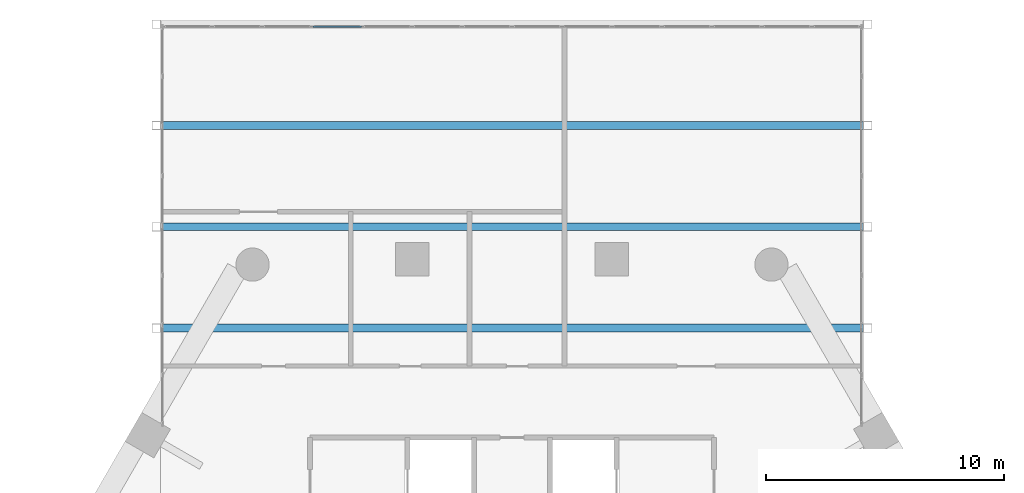
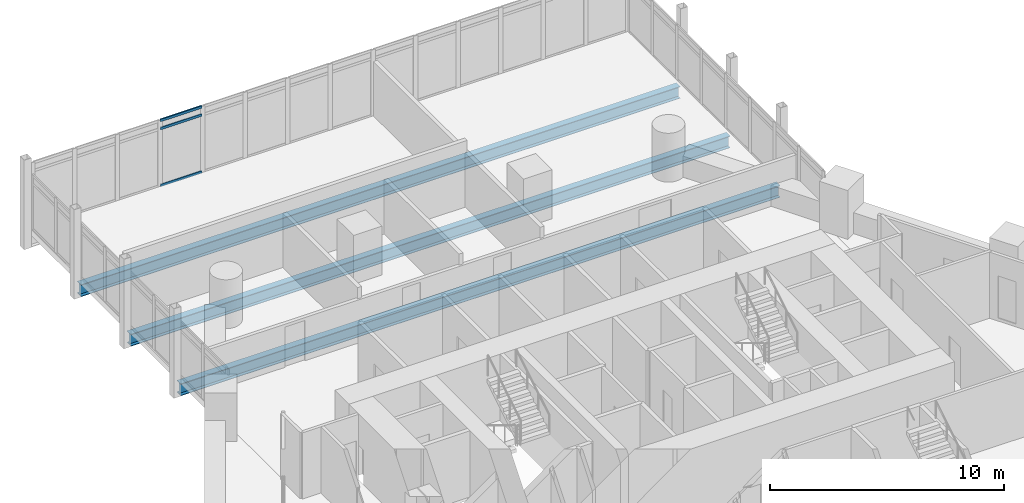
# One storey, part 14 of 28: 3 beams, 3 members, 1 element without a shape of its own.
"""IFC4 building model written with IfcOpenShell, lengths in metres."""

from ifc_helpers import new_model, si_unit, direction, frame, origin, origin_2d, place, context, subcontext, project, spatial, hollow_rectangle, i_section, extrude, material, material_profile, profile_set, type_object, element, aggregate, save


model = new_model("IFC4")

# Units and contexts
model_context = context("Model", 3, precision=1e-05, world=origin(), true_north=direction((0.0, 1.0)))
body_context = subcontext(model_context, "Body", "Model", "MODEL_VIEW")
ifc_project = project(units=[si_unit("LENGTHUNIT", "METRE"), si_unit("AREAUNIT", "SQUARE_METRE"), si_unit("VOLUMEUNIT", "CUBIC_METRE"), si_unit("PLANEANGLEUNIT", "RADIAN"), si_unit("MASSUNIT", "GRAM", prefix="KILO")], contexts=[model_context])

# Site, building, storey
site_placement = place(None, origin())
site = spatial("IfcSite", under=ifc_project, at=site_placement, CompositionType="ELEMENT")
building_placement = place(site_placement, origin())
building = spatial("IfcBuilding", under=site, at=building_placement, Name="Ostrander Bayou Hotel Tower", CompositionType="ELEMENT")
storey_placement = place(building_placement, frame((0.0, 0.0, 76.75)))
storey = spatial("IfcBuildingStorey", under=building, at=storey_placement, Name="L19", CompositionType="ELEMENT", Elevation=76.75)

# Curtain wall, members
ifc_material_1 = material(Name="Aluminium and clear glass", Category="aluminium")
curtain_wall_type = type_object("IfcCurtainWallType", Name="CW-BAR glazed wall", PredefinedType="NOTDEFINED", material=ifc_material_1)
curtain_wall_placement = place(storey_placement, origin())
curtain_wall = element("IfcCurtainWall", 1, at=curtain_wall_placement, inside=storey, type_object=curtain_wall_type, Name="CW-BAR L19:SB1N:T", PredefinedType="NOTDEFINED")
ifc_material_2 = material(Name="Aluminium", Category="aluminium")
ifc_material_profile_1 = material_profile(ifc_material_2, hollow_rectangle(XDim=0.06005859375, YDim=0.1298828125, WallThickness=0.00390625, at=origin_2d()))
ifc_profile_set_1 = profile_set([ifc_material_profile_1], Name="Aluminium")
member_type = type_object("IfcMemberType", Name="CW-BR transom 60 x 130 mm", PredefinedType="USERDEFINED", material=ifc_profile_set_1)
member_1_placement = place(storey_placement, frame((-8.376953125, 30.88623046875, 0.030029296875), z_axis=(1.0, 0.0, 0.0), x_axis=(0.0, 1.0, 0.0)))
member_1 = element("IfcMember", 2, at=member_1_placement, type_object=member_type, Name="CW-BAR transom 4.1", ObjectType="TRANSOM", PredefinedType="USERDEFINED", context=body_context, shape_type="SweptSolid", body=[
    extrude(hollow_rectangle(XDim=0.06005859375, YDim=0.1298828125, WallThickness=0.00390625, at=origin_2d()), origin(), (0.0, 0.0, 1.0), 2.041748046875),
])
member_2_placement = place(storey_placement, frame((-8.376953125, 30.88623046875, 3.0), z_axis=(1.0, 0.0, 0.0), x_axis=(0.0, 1.0, 0.0)))
member_2 = element("IfcMember", 3, at=member_2_placement, type_object=member_type, Name="CW-BAR transom 4.2", ObjectType="TRANSOM", PredefinedType="USERDEFINED", context=body_context, shape_type="SweptSolid", body=[
    extrude(hollow_rectangle(XDim=0.06005859375, YDim=0.1298828125, WallThickness=0.00390625, at=origin_2d()), origin(), (0.0, 0.0, 1.0), 2.041748046875),
])
member_3_placement = place(storey_placement, frame((-8.376953125, 30.88623046875, 3.419921875), z_axis=(1.0, 0.0, 0.0), x_axis=(0.0, 1.0, 0.0)))
member_3 = element("IfcMember", 4, at=member_3_placement, type_object=member_type, Name="CW-BAR transom 4.3", ObjectType="TRANSOM", PredefinedType="USERDEFINED", context=body_context, shape_type="SweptSolid", body=[
    extrude(hollow_rectangle(XDim=0.06005859375, YDim=0.1298828125, WallThickness=0.00390625, at=origin_2d()), origin(), (0.0, 0.0, 1.0), 2.041748046875),
])
aggregate(curtain_wall, [member_1, member_2, member_3])

# Beams
ifc_material_3 = material(Name="Steel ASTM A992", Category="steel")
ifc_material_profile_2 = material_profile(ifc_material_3, i_section(OverallWidth=0.32763671875, OverallDepth=0.621826171875, WebThickness=0.015380859375, FlangeThickness=0.0244140625, at=origin_2d()))
ifc_profile_set_2 = profile_set([ifc_material_profile_2], Name="Steel ASTM A992")
beam_type = type_object("IfcBeamType", Name="TF1 bar floor beam W24x131", PredefinedType="BEAM", material=ifc_profile_set_2)
for number, where, z_axis, x_axis, name in (
    (5, (-14.787109375, 26.723876953125, -0.61083984375), (1.0, 0.0, 0.0), (0.0, 1.0, 0.0), "TF1 SB1W L4-2"),
    (6, (-14.787109375, 22.46142578125, -0.61083984375), (1.0, 0.0, 0.0), (0.0, 1.0, 0.0), "TF1 SB1W L4-3"),
    (7, (-14.787109375, 18.198974609375, -0.61083984375), (1.0, 0.0, 0.0), (0.0, 1.0, 0.0), "TF1 SB1W L4-4"),
):
    element("IfcBeam", number, at=place(storey_placement, frame(where, z_axis=z_axis, x_axis=x_axis)), inside=storey, type_object=beam_type, Name=name, PredefinedType="BEAM", context=body_context, shape_type="SweptSolid", body=[
        extrude(i_section(OverallWidth=0.32763671875, OverallDepth=0.621826171875, WebThickness=0.015380859375, FlangeThickness=0.0244140625, at=origin_2d()), origin(), (0.0, 0.0, 1.0), 29.57421875),
    ])

save(model, "model.ifc")
